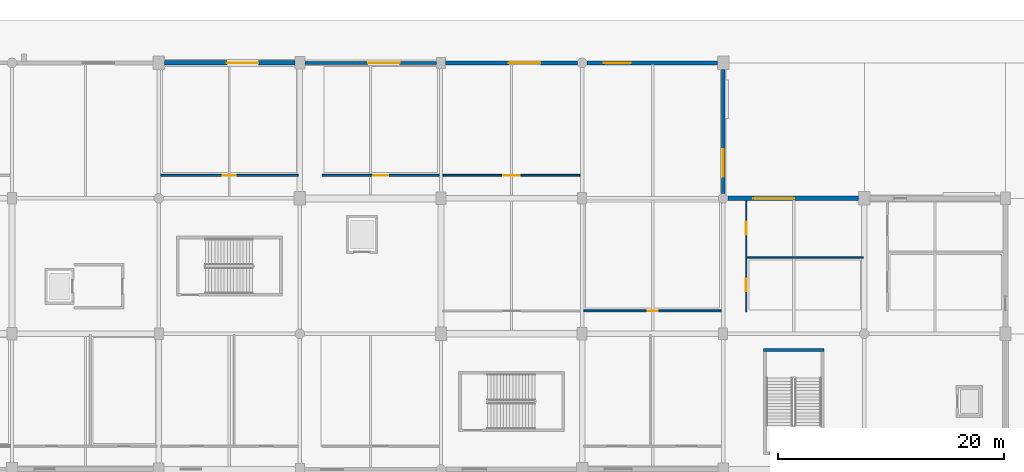
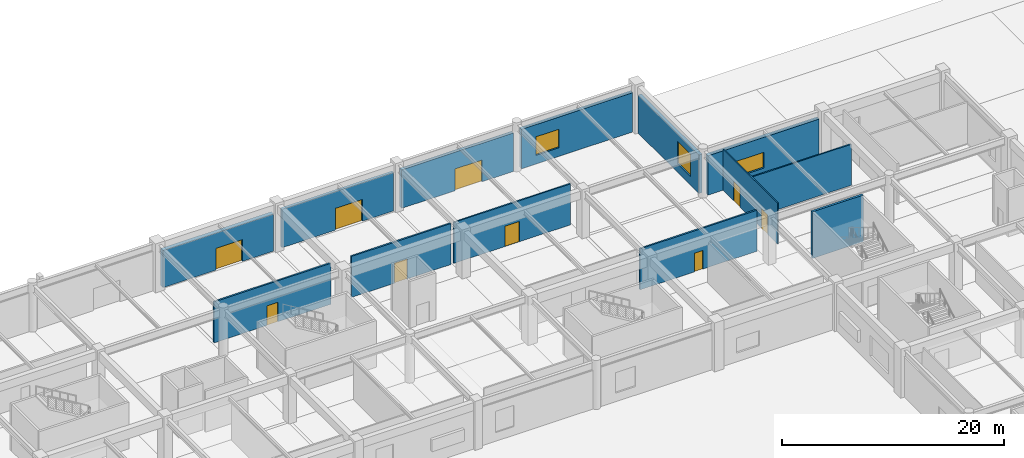
# One storey, part 33 of 69: 13 walls, 9 doors, 3 windows, 12 openings.
"""IFC4 building model written with IfcOpenShell, lengths in metres."""

from ifc_helpers import new_model, si_unit, direction, frame, frame_2d, origin, place, context, subcontext, project, spatial, rectangle, extrude, material, layer, layer_set, type_object, element, fill, save


model = new_model("IFC4")

# Units and contexts
model_context = context("Model", 3, precision=1e-05, world=origin(), true_north=direction((0.0, 1.0)))
body_context = subcontext(model_context, "Body", "Model", "MODEL_VIEW")
ifc_project = project(units=[si_unit("LENGTHUNIT", "METRE"), si_unit("AREAUNIT", "SQUARE_METRE"), si_unit("VOLUMEUNIT", "CUBIC_METRE"), si_unit("PLANEANGLEUNIT", "RADIAN"), si_unit("MASSUNIT", "GRAM", prefix="KILO")], contexts=[model_context])

# Site, building, storey
site_placement = place(None, origin())
site = spatial("IfcSite", under=ifc_project, at=site_placement, CompositionType="ELEMENT")
building_placement = place(site_placement, origin())
building = spatial("IfcBuilding", under=site, at=building_placement, Name="Kazenohara Klinker Stadium", CompositionType="ELEMENT")
storey_placement = place(building_placement, origin())
storey = spatial("IfcBuildingStorey", under=building, at=storey_placement, Name="L00", CompositionType="ELEMENT", Elevation=0.0)

# Wall
ifc_material_1 = material(Name="Concrete C40/50", Category="concrete")
ifc_layer_1 = layer(ifc_material_1, 0.22998046875)
ifc_layer_set_1 = layer_set([ifc_layer_1], Name="Concrete C40/50")
wall_type_1 = type_object("IfcWallType", Name="WAL-CORE-230", PredefinedType="SHEAR", material=ifc_layer_set_1)
wall_1_placement = place(storey_placement, frame((178.590087890625, 142.56494140625, 0.0), z_axis=(0.0, 0.0, 1.0), x_axis=(1.0, 0.0, 0.0)))
element("IfcWall", 1, at=wall_1_placement, inside=storey, type_object=wall_type_1, Name="Stairwell shear wall ST12 L00 North", PredefinedType="SHEAR", context=body_context, shape_type="SweptSolid", body=[
    extrude(rectangle(XDim=5.31982421875, YDim=0.22998046875, at=frame_2d((2.659912109375, 0.0))), origin(), (0.0, 0.0, 1.0), 5.139892578125),
])

# Wall, opening, door
ifc_material_2 = material(Name="Clinker brick masonry", Category="masonry")
ifc_layer_2 = layer(ifc_material_2, 0.280029296875)
ifc_layer_set_2 = layer_set([ifc_layer_2], Name="Clinker brick masonry")
wall_type_2 = type_object("IfcWallType", Name="WAL-EXT-CB280", PredefinedType="SOLIDWALL", material=ifc_layer_set_2)
wall_2_placement = place(storey_placement, frame((137.9541015625, 168.0, 0.0), z_axis=(0.0, 0.0, 1.0), x_axis=(1.0, 0.0, 0.0)))
wall_2 = element("IfcWall", 2, at=wall_2_placement, inside=storey, type_object=wall_type_2, Name="Clinker brick cavity wall EW06 L00 X11-14", PredefinedType="SOLIDWALL", context=body_context, shape_type="SweptSolid", body=[
    extrude(rectangle(XDim=11.641845703125, YDim=0.280029296875, at=frame_2d((5.82080078125, 0.0))), origin(), (0.0, 0.0, 1.0), 4.239990234375),
])
opening_1_placement = place(wall_2_placement, frame((5.585205078125, 0.0, 0.0)))
opening_1 = element("IfcOpeningElement", 3, at=opening_1_placement, cuts=wall_2, Name="Opening G31", PredefinedType="OPENING", context=body_context, shape_type="SweptSolid", body=[
    extrude(rectangle(XDim=2.800048828125, YDim=2.39990234375, at=frame_2d((1.39990234375, 1.199951171875))), frame((0.0, 0.14990234375, 0.0), z_axis=(0.0, -1.0, 0.0), x_axis=(1.0, 0.0, 0.0)), (0.0, 0.0, 1.0), 0.300048828125),
])
ifc_material_3 = material(Name="Powder-coated aluminium and laminated safety glass", Category="aluminium")
door_type_1 = type_object("IfcDoorType", Name="DR-GATE-2800x2400", OperationType="NOTDEFINED", PredefinedType="DOOR", material=ifc_material_3)
door_1_placement = place(opening_1_placement, origin())
door_1 = element("IfcDoor", 4, at=door_1_placement, inside=storey, type_object=door_type_1, Name="Pedestrian exit gate G31", OperationType="DOUBLE_DOOR_SINGLE_SWING", OverallHeight=2.39990234375, OverallWidth=2.800048828125, PredefinedType="DOOR", context=body_context, shape_type="SweptSolid", body=[
    extrude(rectangle(XDim=2.800048828125, YDim=2.39990234375, at=frame_2d((1.39990234375, 1.199951171875))), frame((0.0, 0.02490234375, 0.0), z_axis=(0.0, -1.0, 0.0), x_axis=(1.0, 0.0, 0.0)), (0.0, 0.0, 1.0), 0.050048828125),
])
fill(opening_1, door_1)

ifc_layer_3 = layer(ifc_material_2, 0.340087890625)
ifc_layer_set_3 = layer_set([ifc_layer_3], Name="Clinker brick masonry")
wall_type_3 = type_object("IfcWallType", Name="WAL-EXT-CB340", PredefinedType="SOLIDWALL", material=ifc_layer_set_3)
wall_3_placement = place(storey_placement, frame((150.404052734375, 168.0, 0.0), z_axis=(0.0, 0.0, 1.0), x_axis=(1.0, 0.0, 0.0)))
wall_3 = element("IfcWall", 5, at=wall_3_placement, inside=storey, type_object=wall_type_3, Name="Clinker brick cavity wall EW04 L00 X12-14", PredefinedType="SOLIDWALL", context=body_context, shape_type="SweptSolid", body=[
    extrude(rectangle(XDim=11.6669921875, YDim=0.340087890625, at=frame_2d((5.83349609375, 0.0))), origin(), (0.0, 0.0, 1.0), 4.239990234375),
])
opening_2_placement = place(wall_3_placement, frame((5.60009765625, 0.0, 0.0)))
opening_2 = element("IfcOpeningElement", 6, at=opening_2_placement, cuts=wall_3, Name="Opening G32", PredefinedType="OPENING", context=body_context, shape_type="SweptSolid", body=[
    extrude(rectangle(XDim=2.800048828125, YDim=2.39990234375, at=frame_2d((1.39990234375, 1.199951171875))), frame((0.0, 0.18017578125, 0.0), z_axis=(0.0, -1.0, 0.0), x_axis=(1.0, 0.0, 0.0)), (0.0, 0.0, 1.0), 0.360107421875),
])
door_2_placement = place(opening_2_placement, origin())
door_2 = element("IfcDoor", 7, at=door_2_placement, inside=storey, type_object=door_type_1, Name="Pedestrian exit gate G32", OperationType="DOUBLE_DOOR_SINGLE_SWING", OverallHeight=2.39990234375, OverallWidth=2.800048828125, PredefinedType="DOOR", context=body_context, shape_type="SweptSolid", body=[
    extrude(rectangle(XDim=2.800048828125, YDim=2.39990234375, at=frame_2d((1.39990234375, 1.199951171875))), frame((0.0, 0.02490234375, 0.0), z_axis=(0.0, -1.0, 0.0), x_axis=(1.0, 0.0, 0.0)), (0.0, 0.0, 1.0), 0.050048828125),
])
fill(opening_2, door_2)

# Wall, opening, window
wall_4_placement = place(storey_placement, frame((175.0, 156.428955078125, 0.0), z_axis=(0.0, 0.0, 1.0), x_axis=(0.0, 1.0, 0.0)))
wall_4 = element("IfcWall", 8, at=wall_4_placement, inside=storey, type_object=wall_type_3, Name="Clinker brick cavity wall EW04 L00 Y14-13", PredefinedType="SOLIDWALL", context=body_context, shape_type="SweptSolid", body=[
    extrude(rectangle(XDim=10.967041015625, YDim=0.340087890625, at=frame_2d((5.4833984375, 0.0))), origin(), (0.0, 0.0, 1.0), 4.239990234375),
])
opening_3_placement = place(wall_4_placement, frame((1.5, 0.0, 0.949951171875)))
opening_3 = element("IfcOpeningElement", 9, at=opening_3_placement, cuts=wall_4, Name="Opening W25", PredefinedType="OPENING", context=body_context, shape_type="SweptSolid", body=[
    extrude(rectangle(XDim=2.39990234375, YDim=2.449951171875, at=frame_2d((1.199951171875, 1.22509765625))), frame((0.0, 0.18017578125, 0.0), z_axis=(0.0, -1.0, 0.0), x_axis=(1.0, 0.0, 0.0)), (0.0, 0.0, 1.0), 0.360107421875),
])
ifc_material_4 = material(Name="Dark bronze aluminium frame and triple glazing", Category="aluminium")
window_type_1 = type_object("IfcWindowType", Name="WIN-AS-25", PartitioningType="SINGLE_PANEL", PredefinedType="WINDOW", material=ifc_material_4)
window_1_placement = place(opening_3_placement, origin())
window_1 = element("IfcWindow", 10, at=window_1_placement, inside=storey, type_object=window_type_1, Name="Horizontal-mullion ladder window W25 L00 Y14-13", OverallHeight=2.449951171875, OverallWidth=2.39990234375, PartitioningType="SINGLE_PANEL", PredefinedType="WINDOW", context=body_context, shape_type="SweptSolid", body=[
    extrude(rectangle(XDim=2.39990234375, YDim=2.449951171875, at=frame_2d((1.199951171875, 1.22509765625))), frame((0.0, 0.030029296875, 0.0), z_axis=(0.0, -1.0, 0.0), x_axis=(1.0, 0.0, 0.0)), (0.0, 0.0, 1.0), 0.06005859375),
])
fill(opening_3, window_1)

ifc_layer_4 = layer(ifc_material_2, 0.3701171875)
ifc_layer_set_4 = layer_set([ifc_layer_4], Name="Clinker brick masonry")
wall_type_4 = type_object("IfcWallType", Name="WAL-EXT-CB370", PredefinedType="SOLIDWALL", material=ifc_layer_set_4)
wall_5_placement = place(storey_placement, frame((162.928955078125, 168.0, 0.0), z_axis=(0.0, 0.0, 1.0), x_axis=(1.0, 0.0, 0.0)))
wall_5 = element("IfcWall", 11, at=wall_5_placement, inside=storey, type_object=wall_type_4, Name="Clinker brick cavity wall EW03 L00 X13-14", PredefinedType="SOLIDWALL", context=body_context, shape_type="SweptSolid", body=[
    extrude(rectangle(XDim=11.567138671875, YDim=0.3701171875, at=frame_2d((5.78369140625, 0.0))), origin(), (0.0, 0.0, 1.0), 4.340087890625),
])
opening_4_placement = place(wall_5_placement, frame((1.5, 0.0, 0.949951171875)))
opening_4 = element("IfcOpeningElement", 12, at=opening_4_placement, cuts=wall_5, Name="Opening W24", PredefinedType="OPENING", context=body_context, shape_type="SweptSolid", body=[
    extrude(rectangle(XDim=2.39990234375, YDim=2.050048828125, at=frame_2d((1.199951171875, 1.02490234375))), frame((0.0, 0.195068359375, 0.0), z_axis=(0.0, -1.0, 0.0), x_axis=(1.0, 0.0, 0.0)), (0.0, 0.0, 1.0), 0.39013671875),
])
window_type_2 = type_object("IfcWindowType", Name="WIN-AS-24", PartitioningType="SINGLE_PANEL", PredefinedType="WINDOW", material=ifc_material_4)
window_2_placement = place(opening_4_placement, origin())
window_2 = element("IfcWindow", 13, at=window_2_placement, inside=storey, type_object=window_type_2, Name="Horizontal-mullion ladder window W24 L00 X13-14", OverallHeight=2.050048828125, OverallWidth=2.39990234375, PartitioningType="SINGLE_PANEL", PredefinedType="WINDOW", context=body_context, shape_type="SweptSolid", body=[
    extrude(rectangle(XDim=2.39990234375, YDim=2.050048828125, at=frame_2d((1.199951171875, 1.02490234375))), frame((0.0, 0.030029296875, 0.0), z_axis=(0.0, -1.0, 0.0), x_axis=(1.0, 0.0, 0.0)), (0.0, 0.0, 1.0), 0.06005859375),
])
fill(opening_4, window_2)

# Wall, opening, door
ifc_layer_5 = layer(ifc_material_2, 0.409912109375)
ifc_layer_set_5 = layer_set([ifc_layer_5], Name="Clinker brick masonry")
wall_type_5 = type_object("IfcWallType", Name="WAL-EXT-CB410", PredefinedType="SOLIDWALL", material=ifc_layer_set_5)
wall_6_placement = place(storey_placement, frame((125.50390625, 168.0, 0.0), z_axis=(0.0, 0.0, 1.0), x_axis=(1.0, 0.0, 0.0)))
wall_6 = element("IfcWall", 14, at=wall_6_placement, inside=storey, type_object=wall_type_5, Name="Clinker brick cavity wall EW02 L00 X10-14", PredefinedType="SOLIDWALL", context=body_context, shape_type="SweptSolid", body=[
    extrude(rectangle(XDim=11.5419921875, YDim=0.409912109375, at=frame_2d((5.77099609375, 0.0))), origin(), (0.0, 0.0, 1.0), 4.090087890625),
])
opening_5_placement = place(wall_6_placement, frame((5.525146484375, 0.0, 0.0)))
opening_5 = element("IfcOpeningElement", 15, at=opening_5_placement, cuts=wall_6, Name="Opening G29", PredefinedType="OPENING", context=body_context, shape_type="SweptSolid", body=[
    extrude(rectangle(XDim=2.800048828125, YDim=2.39990234375, at=frame_2d((1.39990234375, 1.199951171875))), frame((0.0, 0.21484375, 0.0), z_axis=(0.0, -1.0, 0.0), x_axis=(1.0, 0.0, 0.0)), (0.0, 0.0, 1.0), 0.429931640625),
])
door_3_placement = place(opening_5_placement, origin())
door_3 = element("IfcDoor", 16, at=door_3_placement, inside=storey, type_object=door_type_1, Name="Pedestrian exit gate G29", OperationType="DOUBLE_DOOR_SINGLE_SWING", OverallHeight=2.39990234375, OverallWidth=2.800048828125, PredefinedType="DOOR", context=body_context, shape_type="SweptSolid", body=[
    extrude(rectangle(XDim=2.800048828125, YDim=2.39990234375, at=frame_2d((1.39990234375, 1.199951171875))), frame((0.0, 0.02490234375, 0.0), z_axis=(0.0, -1.0, 0.0), x_axis=(1.0, 0.0, 0.0)), (0.0, 0.0, 1.0), 0.050048828125),
])
fill(opening_5, door_3)

# Wall, opening, window
wall_7_placement = place(storey_placement, frame((175.428955078125, 156.0, 0.0), z_axis=(0.0, 0.0, 1.0), x_axis=(1.0, 0.0, 0.0)))
wall_7 = element("IfcWall", 17, at=wall_7_placement, inside=storey, type_object=wall_type_5, Name="Clinker brick cavity wall EW02 L00 X14-13", PredefinedType="SOLIDWALL", context=body_context, shape_type="SweptSolid", body=[
    extrude(rectangle(XDim=11.567138671875, YDim=0.409912109375, at=frame_2d((5.78369140625, 0.0))), origin(), (0.0, 0.0, 1.0), 4.340087890625),
])
opening_6_placement = place(wall_7_placement, frame((2.240966796875, 0.0, 0.949951171875)))
opening_6 = element("IfcOpeningElement", 18, at=opening_6_placement, cuts=wall_7, Name="Opening W35", PredefinedType="OPENING", context=body_context, shape_type="SweptSolid", body=[
    extrude(rectangle(XDim=3.60009765625, YDim=1.75, at=frame_2d((1.800048828125, 0.875))), frame((0.0, 0.21484375, 0.0), z_axis=(0.0, -1.0, 0.0), x_axis=(1.0, 0.0, 0.0)), (0.0, 0.0, 1.0), 0.429931640625),
])
window_type_3 = type_object("IfcWindowType", Name="WIN-AS-35", PartitioningType="SINGLE_PANEL", PredefinedType="WINDOW", material=ifc_material_4)
window_3_placement = place(opening_6_placement, origin())
window_3 = element("IfcWindow", 19, at=window_3_placement, inside=storey, type_object=window_type_3, Name="Horizontal-mullion ladder window W35 L00 X14-13", OverallHeight=1.75, OverallWidth=3.60009765625, PartitioningType="SINGLE_PANEL", PredefinedType="WINDOW", context=body_context, shape_type="SweptSolid", body=[
    extrude(rectangle(XDim=3.60009765625, YDim=1.75, at=frame_2d((1.800048828125, 0.875))), frame((0.0, 0.030029296875, 0.0), z_axis=(0.0, -1.0, 0.0), x_axis=(1.0, 0.0, 0.0)), (0.0, 0.0, 1.0), 0.06005859375),
])
fill(opening_6, window_3)

# Wall, openings, doors
ifc_material_5 = material(Name="Fire-rated gypsum board on acoustic studs", Category="gypsum")
ifc_layer_6 = layer(ifc_material_5, 0.1201171875)
ifc_layer_set_6 = layer_set([ifc_layer_6], Name="Fire-rated gypsum board on acoustic studs")
wall_type_6 = type_object("IfcWallType", Name="WAL-INT-P120", PredefinedType="PARTITIONING", material=ifc_layer_set_6)
wall_8_placement = place(storey_placement, frame((177.0400390625, 145.969970703125, 0.0), z_axis=(0.0, 0.0, 1.0), x_axis=(0.0, 1.0, 0.0)))
wall_8 = element("IfcWall", 20, at=wall_8_placement, inside=storey, type_object=wall_type_6, Name="Interior partition wall PT02 SPC-L00-14-12-1-1", PredefinedType="PARTITIONING", context=body_context, shape_type="SweptSolid", body=[
    extrude(rectangle(XDim=9.822998046875, YDim=0.1201171875, at=frame_2d((4.91162109375, 0.0))), origin(), (0.0, 0.0, 1.0), 4.52001953125),
])
opening_7_placement = place(wall_8_placement, frame((2.91357421875, 0.0, 0.0), z_axis=(0.0, 0.0, 1.0), x_axis=(-1.0, 0.0, 0.0)))
opening_7 = element("IfcOpeningElement", 21, at=opening_7_placement, cuts=wall_8, Name="Opening ID09", PredefinedType="OPENING", context=body_context, shape_type="SweptSolid", body=[
    extrude(rectangle(XDim=1.1201171875, YDim=2.179931640625, at=frame_2d((0.56005859375, 1.08984375))), frame((0.0, 0.070068359375, 0.0), z_axis=(0.0, -1.0, 0.0), x_axis=(1.0, 0.0, 0.0)), (0.0, 0.0, 1.0), 0.14013671875),
])
opening_8_placement = place(wall_8_placement, frame((7.943359375, 0.0, 0.0), z_axis=(0.0, 0.0, 1.0), x_axis=(-1.0, 0.0, 0.0)))
opening_8 = element("IfcOpeningElement", 22, at=opening_8_placement, cuts=wall_8, Name="Opening ID10", PredefinedType="OPENING", context=body_context, shape_type="SweptSolid", body=[
    extrude(rectangle(XDim=1.14990234375, YDim=2.14990234375, at=frame_2d((0.574951171875, 1.074951171875))), frame((0.0, 0.070068359375, 0.0), z_axis=(0.0, -1.0, 0.0), x_axis=(1.0, 0.0, 0.0)), (0.0, 0.0, 1.0), 0.14013671875),
])
ifc_material_6 = material(Name="Solid-core Hokkaido oak fire door", Category="wood")
door_type_2 = type_object("IfcDoorType", Name="DR-INT-09", OperationType="NOTDEFINED", PredefinedType="DOOR", material=ifc_material_6)
door_4_placement = place(opening_7_placement, origin())
door_4 = element("IfcDoor", 23, at=door_4_placement, inside=storey, type_object=door_type_2, Name="Interior door ID09 Supporter Merchandising Retail Shop L00-1412A", OperationType="SINGLE_SWING_RIGHT", OverallHeight=2.179931640625, OverallWidth=1.1201171875, PredefinedType="DOOR", context=body_context, shape_type="SweptSolid", body=[
    extrude(rectangle(XDim=1.1201171875, YDim=2.179931640625, at=frame_2d((0.56005859375, 1.08984375))), frame((0.0, 0.02490234375, 0.0), z_axis=(0.0, -1.0, 0.0), x_axis=(1.0, 0.0, 0.0)), (0.0, 0.0, 1.0), 0.050048828125),
])
fill(opening_7, door_4)
door_type_3 = type_object("IfcDoorType", Name="DR-INT-10", OperationType="NOTDEFINED", PredefinedType="DOOR", material=ifc_material_6)
door_5_placement = place(opening_8_placement, origin())
door_5 = element("IfcDoor", 24, at=door_5_placement, inside=storey, type_object=door_type_3, Name="Interior door ID10 Concourse Craft Beverage Tavern L00-1412B", OperationType="SINGLE_SWING_LEFT", OverallHeight=2.14990234375, OverallWidth=1.14990234375, PredefinedType="DOOR", context=body_context, shape_type="SweptSolid", body=[
    extrude(rectangle(XDim=1.14990234375, YDim=2.14990234375, at=frame_2d((0.574951171875, 1.074951171875))), frame((0.0, 0.02490234375, 0.0), z_axis=(0.0, -1.0, 0.0), x_axis=(1.0, 0.0, 0.0)), (0.0, 0.0, 1.0), 0.050048828125),
])
fill(opening_8, door_5)

# Wall
ifc_layer_7 = layer(ifc_material_5, 0.139892578125)
ifc_layer_set_7 = layer_set([ifc_layer_7], Name="Fire-rated gypsum board on acoustic studs")
wall_type_7 = type_object("IfcWallType", Name="WAL-INT-P140", PredefinedType="PARTITIONING", material=ifc_layer_set_7)
wall_9_placement = place(storey_placement, frame((177.10498046875, 150.7568359375, 0.0), z_axis=(0.0, 0.0, 1.0), x_axis=(1.0, 0.0, 0.0)))
element("IfcWall", 25, at=wall_9_placement, inside=storey, type_object=wall_type_7, Name="Interior partition wall PT03 SPC-L00-14-12-1-2", PredefinedType="PARTITIONING", context=body_context, shape_type="SweptSolid", body=[
    extrude(rectangle(XDim=10.31494140625, YDim=0.139892578125, at=frame_2d((5.157470703125, 0.0))), origin(), (0.0, 0.0, 1.0), 4.52001953125),
])

# Wall, opening, door
ifc_layer_8 = layer(ifc_material_5, 0.14990234375)
ifc_layer_set_8 = layer_set([ifc_layer_8], Name="Fire-rated gypsum board on acoustic studs")
wall_type_8 = type_object("IfcWallType", Name="WAL-INT-P150", PredefinedType="PARTITIONING", material=ifc_layer_set_8)
wall_10_placement = place(storey_placement, frame((150.159912109375, 158.0400390625, 0.0), z_axis=(0.0, 0.0, 1.0), x_axis=(1.0, 0.0, 0.0)))
wall_10 = element("IfcWall", 26, at=wall_10_placement, inside=storey, type_object=wall_type_8, Name="Interior partition wall PT04 SPC-L00-12-13-1-1", PredefinedType="PARTITIONING", context=body_context, shape_type="SweptSolid", body=[
    extrude(rectangle(XDim=12.18017578125, YDim=0.14990234375, at=frame_2d((6.090087890625, 0.0))), origin(), (0.0, 0.0, 1.0), 4.52001953125),
])
opening_9_placement = place(wall_10_placement, frame((5.35009765625, 0.0, 0.0)))
opening_9 = element("IfcOpeningElement", 27, at=opening_9_placement, cuts=wall_10, Name="Opening ID20", PredefinedType="OPENING", context=body_context, shape_type="SweptSolid", body=[
    extrude(rectangle(XDim=1.47998046875, YDim=2.239990234375, at=frame_2d((0.739990234375, 1.1201171875))), frame((0.0, 0.0849609375, 0.0), z_axis=(0.0, -1.0, 0.0), x_axis=(1.0, 0.0, 0.0)), (0.0, 0.0, 1.0), 0.169921875),
])
ifc_material_7 = material(Name="Painted steel plant fire door", Category="steel")
door_type_4 = type_object("IfcDoorType", Name="DR-INT-20", OperationType="NOTDEFINED", PredefinedType="DOOR", material=ifc_material_7)
door_6_placement = place(opening_9_placement, origin())
door_6 = element("IfcDoor", 28, at=door_6_placement, inside=storey, type_object=door_type_4, Name="Interior door ID20 Supporter Merchandising Retail Shop L00-1213A", OperationType="SINGLE_SWING_LEFT", OverallHeight=2.239990234375, OverallWidth=1.47998046875, PredefinedType="DOOR", context=body_context, shape_type="SweptSolid", body=[
    extrude(rectangle(XDim=1.47998046875, YDim=2.239990234375, at=frame_2d((0.739990234375, 1.1201171875))), frame((0.0, 0.02490234375, 0.0), z_axis=(0.0, -1.0, 0.0), x_axis=(1.0, 0.0, 0.0)), (0.0, 0.0, 1.0), 0.050048828125),
])
fill(opening_9, door_6)

ifc_layer_9 = layer(ifc_material_5, 0.169921875)
ifc_layer_set_9 = layer_set([ifc_layer_9], Name="Fire-rated gypsum board on acoustic studs")
wall_type_9 = type_object("IfcWallType", Name="WAL-INT-P170", PredefinedType="PARTITIONING", material=ifc_layer_set_9)
wall_11_placement = place(storey_placement, frame((125.159912109375, 158.0400390625, 0.0), z_axis=(0.0, 0.0, 1.0), x_axis=(1.0, 0.0, 0.0)))
wall_11 = element("IfcWall", 29, at=wall_11_placement, inside=storey, type_object=wall_type_9, Name="Interior partition wall PT05 SPC-L00-10-13-1-1", PredefinedType="PARTITIONING", context=body_context, shape_type="SweptSolid", body=[
    extrude(rectangle(XDim=12.18017578125, YDim=0.169921875, at=frame_2d((6.090087890625, 0.0))), origin(), (0.0, 0.0, 1.0), 4.52001953125),
])
opening_10_placement = place(wall_11_placement, frame((5.514892578125, 0.0, 0.0)))
opening_10 = element("IfcOpeningElement", 30, at=opening_10_placement, cuts=wall_11, Name="Opening ID10", PredefinedType="OPENING", context=body_context, shape_type="SweptSolid", body=[
    extrude(rectangle(XDim=1.14990234375, YDim=2.14990234375, at=frame_2d((0.574951171875, 1.074951171875))), frame((0.0, 0.094970703125, 0.0), z_axis=(0.0, -1.0, 0.0), x_axis=(1.0, 0.0, 0.0)), (0.0, 0.0, 1.0), 0.18994140625),
])
door_7_placement = place(opening_10_placement, origin())
door_7 = element("IfcDoor", 31, at=door_7_placement, inside=storey, type_object=door_type_3, Name="Interior door ID10 Supporter Merchandising Retail Shop L00-1013A", OperationType="SINGLE_SWING_LEFT", OverallHeight=2.14990234375, OverallWidth=1.14990234375, PredefinedType="DOOR", context=body_context, shape_type="SweptSolid", body=[
    extrude(rectangle(XDim=1.14990234375, YDim=2.14990234375, at=frame_2d((0.574951171875, 1.074951171875))), frame((0.0, 0.02490234375, 0.0), z_axis=(0.0, -1.0, 0.0), x_axis=(1.0, 0.0, 0.0)), (0.0, 0.0, 1.0), 0.050048828125),
])
fill(opening_10, door_7)

wall_12_placement = place(storey_placement, frame((139.469970703125, 158.0400390625, 0.0), z_axis=(0.0, 0.0, 1.0), x_axis=(1.0, 0.0, 0.0)))
wall_12 = element("IfcWall", 32, at=wall_12_placement, inside=storey, type_object=wall_type_9, Name="Interior partition wall PT05 SPC-L00-11-13-1-1", PredefinedType="PARTITIONING", context=body_context, shape_type="SweptSolid", body=[
    extrude(rectangle(XDim=10.3701171875, YDim=0.169921875, at=frame_2d((5.18505859375, 0.0))), origin(), (0.0, 0.0, 1.0), 4.52001953125),
])
opening_11_placement = place(wall_12_placement, frame((4.52001953125, 0.0, 0.0)))
opening_11 = element("IfcOpeningElement", 33, at=opening_11_placement, cuts=wall_12, Name="Opening ID16", PredefinedType="OPENING", context=body_context, shape_type="SweptSolid", body=[
    extrude(rectangle(XDim=1.330078125, YDim=2.219970703125, at=frame_2d((0.6650390625, 1.10986328125))), frame((0.0, 0.094970703125, 0.0), z_axis=(0.0, -1.0, 0.0), x_axis=(1.0, 0.0, 0.0)), (0.0, 0.0, 1.0), 0.18994140625),
])
door_type_5 = type_object("IfcDoorType", Name="DR-INT-16", OperationType="NOTDEFINED", PredefinedType="DOOR", material=ifc_material_6)
door_8_placement = place(opening_11_placement, origin())
door_8 = element("IfcDoor", 34, at=door_8_placement, inside=storey, type_object=door_type_5, Name="Interior door ID16 Civic Stadium Heritage Museum Exhibition Gallery L00-1113A", OperationType="SINGLE_SWING_LEFT", OverallHeight=2.219970703125, OverallWidth=1.330078125, PredefinedType="DOOR", context=body_context, shape_type="SweptSolid", body=[
    extrude(rectangle(XDim=1.330078125, YDim=2.219970703125, at=frame_2d((0.6650390625, 1.10986328125))), frame((0.0, 0.02490234375, 0.0), z_axis=(0.0, -1.0, 0.0), x_axis=(1.0, 0.0, 0.0)), (0.0, 0.0, 1.0), 0.050048828125),
])
fill(opening_11, door_8)

wall_13_placement = place(storey_placement, frame((162.659912109375, 146.0400390625, 0.0), z_axis=(0.0, 0.0, 1.0), x_axis=(1.0, 0.0, 0.0)))
wall_13 = element("IfcWall", 35, at=wall_13_placement, inside=storey, type_object=wall_type_9, Name="Interior partition wall PT05 SPC-L00-13-12-1-1", PredefinedType="PARTITIONING", context=body_context, shape_type="SweptSolid", body=[
    extrude(rectangle(XDim=12.18017578125, YDim=0.169921875, at=frame_2d((6.090087890625, 0.0))), origin(), (0.0, 0.0, 1.0), 4.52001953125),
])
opening_12_placement = place(wall_13_placement, frame((5.639892578125, 0.0, 0.0)))
opening_12 = element("IfcOpeningElement", 36, at=opening_12_placement, cuts=wall_13, Name="Opening ID01", PredefinedType="OPENING", context=body_context, shape_type="SweptSolid", body=[
    extrude(rectangle(XDim=0.89990234375, YDim=2.06005859375, at=frame_2d((0.449951171875, 1.030029296875))), frame((0.0, 0.094970703125, 0.0), z_axis=(0.0, -1.0, 0.0), x_axis=(1.0, 0.0, 0.0)), (0.0, 0.0, 1.0), 0.18994140625),
])
door_type_6 = type_object("IfcDoorType", Name="DR-INT-01", OperationType="NOTDEFINED", PredefinedType="DOOR", material=ifc_material_6)
door_9_placement = place(opening_12_placement, origin())
door_9 = element("IfcDoor", 37, at=door_9_placement, inside=storey, type_object=door_type_6, Name="Interior door ID01 Civic Stadium Heritage Museum Exhibition Gallery L00-1312A", OperationType="SINGLE_SWING_RIGHT", OverallHeight=2.06005859375, OverallWidth=0.89990234375, PredefinedType="DOOR", context=body_context, shape_type="SweptSolid", body=[
    extrude(rectangle(XDim=0.89990234375, YDim=2.06005859375, at=frame_2d((0.449951171875, 1.030029296875))), frame((0.0, 0.02490234375, 0.0), z_axis=(0.0, -1.0, 0.0), x_axis=(1.0, 0.0, 0.0)), (0.0, 0.0, 1.0), 0.050048828125),
])
fill(opening_12, door_9)

save(model, "model.ifc")
